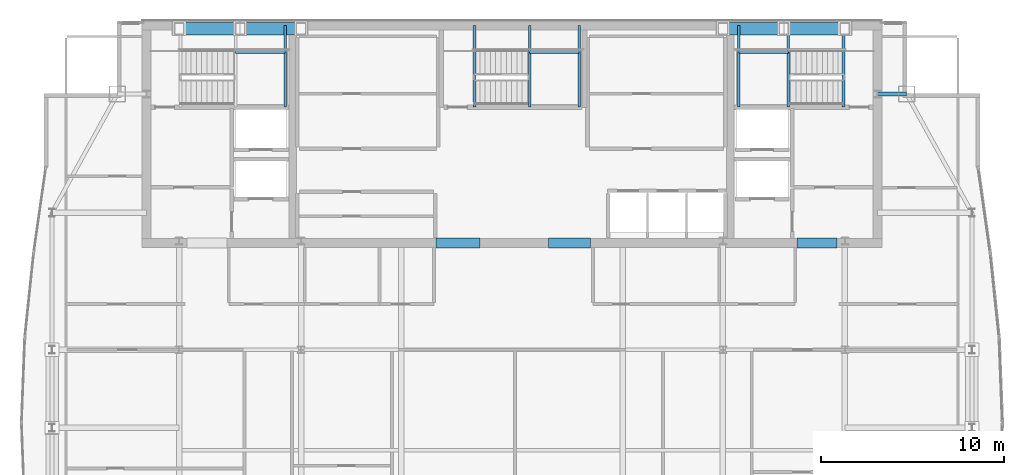
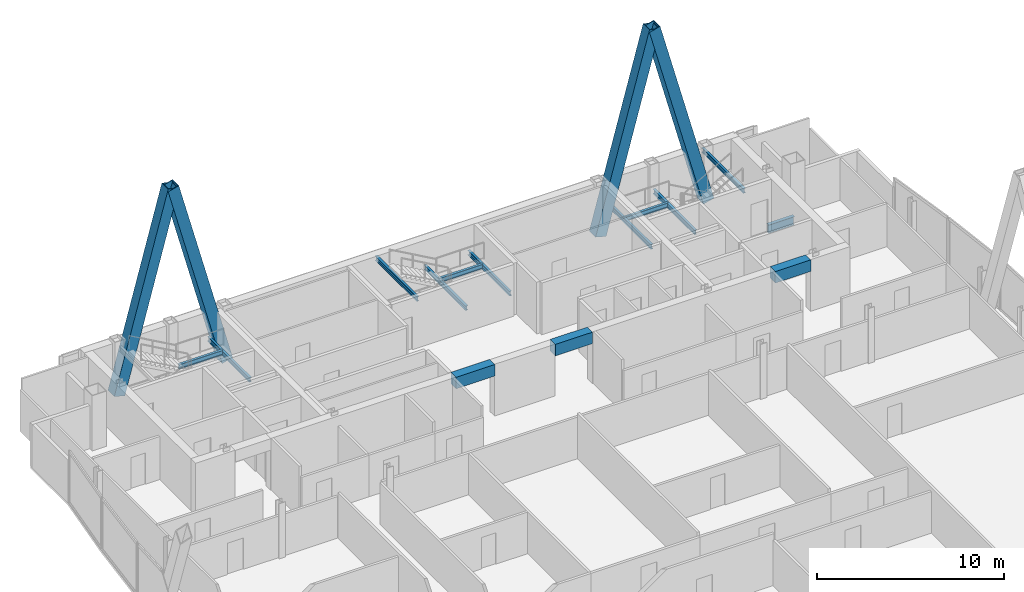
# One storey, part 21 of 29: 14 beams, 4 members.
"""IFC4 building model written with IfcOpenShell, lengths in metres."""

import ifcopenshell
import ifcopenshell.guid

model = None  # the IFC model being written
_history = None  # IfcOwnerHistory: only IFC2X3 demands one
_inside = {}  # id of a spatial element -> (the spatial element, [elements in it])
_under = {}  # id of a project, library or spatial element -> (it, [spatial elements below it])
_declared = {}  # id of a project -> (the project, [libraries it declares])
_typed = {}  # id of a type object -> (the type object, [elements of that type])
_made_of = {}  # id of a material, layer set ... -> (it, [elements and type objects made of it])


def new_model(schema):
    """Start an empty IFC model of exactly this schema.

    Asked for "IFC4X3", IfcOpenShell would pick the latest addendum, in which some entities
    have other attributes; the version numbers below select the first issue.
    IFC2X3 requires an IfcOwnerHistory on every rooted entity: one is made here for all.
    """
    global model, _history
    if schema == "IFC4X3":
        model = ifcopenshell.file(schema_version=(4, 3, 0, 0))
    else:
        model = ifcopenshell.file(schema=schema)
    _inside.clear()
    _under.clear()
    _declared.clear()
    _typed.clear()
    _made_of.clear()
    _history = None
    if model.schema == "IFC2X3":
        org = make("IfcOrganization", Name="unknown")
        user = make(
            "IfcPersonAndOrganization",
            ThePerson=make("IfcPerson", FamilyName="unknown"),
            TheOrganization=org,
        )
        app = make(
            "IfcApplication",
            ApplicationDeveloper=org,
            Version="unknown",
            ApplicationFullName="unknown",
            ApplicationIdentifier="unknown",
        )
        _history = make(
            "IfcOwnerHistory",
            OwningUser=user,
            OwningApplication=app,
            ChangeAction="ADDED",
            CreationDate=0,
        )
    return model


def make(cls, **values):
    """One entity of the class cls with the attributes given. An attribute that is None is left unset."""
    return model.create_entity(
        cls, **{name: value for name, value in values.items() if value is not None}
    )


def rooted(cls, **values):
    """An entity with a GlobalId (a new one), such as an element, a storey or a relation."""
    return make(cls, GlobalId=ifcopenshell.guid.new(), OwnerHistory=_history, **values)


def si_unit(unit_type, name, prefix=None):
    """IfcSIUnit, for example si_unit("LENGTHUNIT", "METRE", prefix="MILLI")."""
    return make("IfcSIUnit", UnitType=unit_type, Prefix=prefix, Name=name)


def assignment(units):
    """IfcUnitAssignment: the units of a project."""
    return None if units is None else make("IfcUnitAssignment", Units=units)


def point(xyz):
    """IfcCartesianPoint."""
    return None if xyz is None else make("IfcCartesianPoint", Coordinates=xyz)


def direction(xyz):
    """IfcDirection."""
    return None if xyz is None else make("IfcDirection", DirectionRatios=xyz)


def frame(location, z_axis=None, x_axis=None):
    """IfcAxis2Placement3D, a coordinate frame: its origin and axes. An axis left out is left unset."""
    return make(
        "IfcAxis2Placement3D",
        Location=point(location),
        Axis=direction(z_axis),
        RefDirection=direction(x_axis),
    )


def frame_2d(location, x_axis=None):
    """IfcAxis2Placement2D, a coordinate frame in the plane: its origin and x axis."""
    return make(
        "IfcAxis2Placement2D", Location=point(location), RefDirection=direction(x_axis)
    )


def origin():
    """The frame at (0, 0, 0) with its axes left unset."""
    return frame((0.0, 0.0, 0.0))


def origin_2d():
    """The frame at (0, 0) in the plane with its x axis left unset."""
    return frame_2d((0.0, 0.0))


def place(relative_to, where):
    """IfcLocalPlacement: puts the frame where relative to a parent placement (None: the world)."""
    return make(
        "IfcLocalPlacement", PlacementRelTo=relative_to, RelativePlacement=where
    )


def context(
    kind, dimensions, precision=None, world=None, true_north=None, identifier=None
):
    """IfcGeometricRepresentationContext, for example the 3D "Model" context."""
    return make(
        "IfcGeometricRepresentationContext",
        ContextIdentifier=identifier,
        ContextType=kind,
        CoordinateSpaceDimension=dimensions,
        Precision=precision,
        WorldCoordinateSystem=world,
        TrueNorth=true_north,
    )


def subcontext(parent, identifier, kind, view, scale=None):
    """IfcGeometricRepresentationSubContext, for example "Body" below "Model"."""
    return make(
        "IfcGeometricRepresentationSubContext",
        ContextIdentifier=identifier,
        ContextType=kind,
        ParentContext=parent,
        TargetScale=scale,
        TargetView=view,
    )


def project(units=None, contexts=None):
    """IfcProject with its units and contexts."""
    return rooted(
        "IfcProject",
        Name="project",
        RepresentationContexts=contexts,
        UnitsInContext=assignment(units),
    )


def spatial(cls, under=None, at=None, **own):
    """A site, building, storey or space (cls), placed at a placement, below another one or the project."""
    s = rooted(cls, ObjectPlacement=at, **own)
    if under is not None:
        _under.setdefault(under.id(), (under, []))[1].append(s)
    return s


def profile(cls, at=None, kind="AREA", **sizes):
    """A parametric profile (cls). Its sizes go by their IFC names, for example OverallWidth=200.0."""
    return make(cls, ProfileType=kind, Position=at, **sizes)


def rectangle(**sizes):
    """IfcRectangleProfileDef."""
    return profile("IfcRectangleProfileDef", **sizes)


def hollow_rectangle(**sizes):
    """IfcRectangleHollowProfileDef."""
    return profile("IfcRectangleHollowProfileDef", **sizes)


def i_section(**sizes):
    """IfcIShapeProfileDef."""
    return profile("IfcIShapeProfileDef", **sizes)


def extrude(swept, where, along, depth):
    """IfcExtrudedAreaSolid: the profile swept, set in the frame where, extruded along a direction by depth."""
    return make(
        "IfcExtrudedAreaSolid",
        SweptArea=swept,
        Position=where,
        ExtrudedDirection=direction(along),
        Depth=depth,
    )


def shape(context_of_items, identifier, shape_type, items):
    """IfcShapeRepresentation: the items that make up one representation, for example the "Body"."""
    return make(
        "IfcShapeRepresentation",
        ContextOfItems=context_of_items,
        RepresentationIdentifier=identifier,
        RepresentationType=shape_type,
        Items=items,
    )


def material(Name=None, Category=None):
    """IfcMaterial."""
    return make("IfcMaterial", Name=Name, Category=Category)


def material_profile(
    of_material, cross_section, Name=None, Category=None, Priority=None
):
    """IfcMaterialProfile: a cross section and its material."""
    return make(
        "IfcMaterialProfile",
        Name=Name,
        Material=of_material,
        Profile=cross_section,
        Priority=Priority,
        Category=Category,
    )


def profile_set(profiles, Name=None, composite=None):
    """IfcMaterialProfileSet."""
    return make(
        "IfcMaterialProfileSet",
        Name=Name,
        MaterialProfiles=profiles,
        CompositeProfile=composite,
    )


def made_of(thing, what):
    """Note that an element or type object is made of a material, layer set ...; save() writes the relation."""
    if what is not None:
        _made_of.setdefault(what.id(), (what, []))[1].append(thing)
    return thing


def type_object(cls, material=None, **own):
    """A type object (cls), such as IfcWallType, which elements share."""
    return made_of(rooted(cls, **own), material)


def element(
    cls,
    number,
    at=None,
    inside=None,
    cuts=None,
    type_object=None,
    material=None,
    context=None,
    identifier="Body",
    shape_type=None,
    held_by="IfcProductDefinitionShape",
    body=None,
    shapes=None,
    **own,
):
    """One element of the class cls, such as IfcWall. Its Tag is "e" and its number.

    at: its placement. inside: the storey or other place that contains it. cuts: it is an
    opening in that element (IfcRelVoidsElement). A single representation is given by context,
    identifier, shape_type and body (its items); several are given by shapes. held_by: the class
    of the entity that holds the representations. save() writes the other relations.
    """
    e = rooted(cls, Tag="e%d" % number, ObjectPlacement=at, **own)
    if body is not None:
        shapes = [shape(context, identifier, shape_type, body)]
    if shapes is not None:
        e.Representation = make(held_by, Representations=shapes)
    if inside is not None:
        _inside.setdefault(inside.id(), (inside, []))[1].append(e)
    if cuts is not None:
        rooted(
            "IfcRelVoidsElement", RelatingBuildingElement=cuts, RelatedOpeningElement=e
        )
    if type_object is not None:
        _typed.setdefault(type_object.id(), (type_object, []))[1].append(e)
    return made_of(e, material)


def aggregate(whole, parts):
    """IfcRelAggregates: a whole, such as a stair, and the parts it consists of."""
    return rooted("IfcRelAggregates", RelatingObject=whole, RelatedObjects=parts)


def save(model, path):
    """Write the relations noted so far, then the file.

    IfcRelAggregates (storeys below a building ...), IfcRelContainedInSpatialStructure (elements
    in a storey), IfcRelDefinesByType, IfcRelAssociatesMaterial and IfcRelDeclares: one each for
    every whole, place, type object, material and project.
    """
    for whole, parts in _under.values():
        aggregate(whole, parts)
    for where, things in _inside.values():
        rooted(
            "IfcRelContainedInSpatialStructure",
            RelatedElements=things,
            RelatingStructure=where,
        )
    for kind, things in _typed.values():
        rooted("IfcRelDefinesByType", RelatedObjects=things, RelatingType=kind)
    for what, things in _made_of.values():
        rooted("IfcRelAssociatesMaterial", RelatedObjects=things, RelatingMaterial=what)
    for by, libraries in _declared.values():
        rooted("IfcRelDeclares", RelatingContext=by, RelatedDefinitions=libraries)
    model.write(path)


model = new_model("IFC4")

# Units and contexts
model_context = context("Model", 3, precision=1e-05, world=origin(), true_north=direction((0.0, 1.0)))
body_context = subcontext(model_context, "Body", "Model", "MODEL_VIEW")
ifc_project = project(units=[si_unit("LENGTHUNIT", "METRE"), si_unit("AREAUNIT", "SQUARE_METRE"), si_unit("VOLUMEUNIT", "CUBIC_METRE"), si_unit("PLANEANGLEUNIT", "RADIAN"), si_unit("MASSUNIT", "GRAM", prefix="KILO")], contexts=[model_context])

# Site, building, storey
site_placement = place(None, origin())
site = spatial("IfcSite", under=ifc_project, at=site_placement, CompositionType="ELEMENT")
building_placement = place(site_placement, origin())
building = spatial("IfcBuilding", under=site, at=building_placement, Name="Khoronbel Lancet Exchange", CompositionType="ELEMENT")
storey_placement = place(building_placement, frame((0.0, 0.0, 302.199951171875)))
storey = spatial("IfcBuildingStorey", under=building, at=storey_placement, Name="L78", CompositionType="ELEMENT", Elevation=302.199951171875)

# Beams
ifc_material_1 = material(Name="Steel S355", Category="steel")
ifc_material_profile_1 = material_profile(ifc_material_1, i_section(OverallWidth=0.14990234375, OverallDepth=0.300048828125, WebThickness=0.007080078125, FlangeThickness=0.0107421875, at=origin_2d()), Name="IPE 300")
ifc_profile_set_1 = profile_set([ifc_material_profile_1], Name="Steel S355")
beam_type_1 = type_object("IfcBeamType", Name="BM-BJ8", PredefinedType="JOIST", material=ifc_profile_set_1)
beam_1_placement = place(storey_placement, frame((24.030029296875, 48.97998046875, 1.449951171875), z_axis=(0.0, 1.0, 0.0), x_axis=(-1.0, 0.0, 0.0)))
element("IfcBeam", 1, at=beam_1_placement, inside=storey, type_object=beam_type_1, Name="Level L78 stair ST1 rear landing bearer beam 1", PredefinedType="JOIST", context=body_context, shape_type="SweptSolid", body=[
    extrude(i_section(OverallWidth=0.14990234375, OverallDepth=0.300048828125, WebThickness=0.007080078125, FlangeThickness=0.0107421875, at=origin_2d()), origin(), (0.0, 0.0, 1.0), 4.469970703125),
])
beam_2_placement = place(storey_placement, frame((21.320068359375, 51.97998046875, 1.449951171875), z_axis=(1.0, 0.0, 0.0), x_axis=(0.0, 1.0, 0.0)))
element("IfcBeam", 2, at=beam_2_placement, inside=storey, type_object=beam_type_1, Name="Level L78 stair ST1 landing cross trimmer beam 1", PredefinedType="JOIST", context=body_context, shape_type="SweptSolid", body=[
    extrude(i_section(OverallWidth=0.14990234375, OverallDepth=0.300048828125, WebThickness=0.007080078125, FlangeThickness=0.0107421875, at=origin_2d()), origin(), (0.0, 0.0, 1.0), 2.7099609375),
])
for number, where, z_axis, x_axis, name in (
    (3, (51.580078125, 48.97998046875, 1.449951171875), (0.0, 1.0, 0.0), (-1.0, 0.0, 0.0), "Level L78 stair ST2 landing bearer beam 1"),
    (4, (48.8701171875, 48.97998046875, 1.449951171875), (0.0, 1.0, 0.0), (-1.0, 0.0, 0.0), "Level L78 stair ST2 rear landing bearer beam 1"),
):
    element("IfcBeam", number, at=place(storey_placement, frame(where, z_axis=z_axis, x_axis=x_axis)), inside=storey, type_object=beam_type_1, Name=name, PredefinedType="JOIST", context=body_context, shape_type="SweptSolid", body=[
        extrude(i_section(OverallWidth=0.14990234375, OverallDepth=0.300048828125, WebThickness=0.007080078125, FlangeThickness=0.0107421875, at=origin_2d()), origin(), (0.0, 0.0, 1.0), 4.469970703125),
    ])
beam_3_placement = place(storey_placement, frame((48.8701171875, 51.97998046875, 1.449951171875), z_axis=(1.0, 0.0, 0.0), x_axis=(0.0, 1.0, 0.0)))
element("IfcBeam", 5, at=beam_3_placement, inside=storey, type_object=beam_type_1, Name="Level L78 stair ST2 landing cross trimmer beam 1", PredefinedType="JOIST", context=body_context, shape_type="SweptSolid", body=[
    extrude(i_section(OverallWidth=0.14990234375, OverallDepth=0.300048828125, WebThickness=0.007080078125, FlangeThickness=0.0107421875, at=origin_2d()), origin(), (0.0, 0.0, 1.0), 2.7099609375),
])
for number, where, z_axis, x_axis, name in (
    (6, (54.60009765625, 48.97998046875, 3.10009765625), (0.0, 1.0, 0.0), (-1.0, 0.0, 0.0), "Level L78 stair ST2 upper-flight arrival trimmer beam"),
    (7, (37.419921875, 48.97998046875, 1.449951171875), (0.0, 1.0, 0.0), (-1.0, 0.0, 0.0), "Level L78 stair ST3 landing bearer beam 1"),
    (8, (40.1298828125, 48.97998046875, 1.449951171875), (0.0, 1.0, 0.0), (-1.0, 0.0, 0.0), "Level L78 stair ST3 rear landing bearer beam 1"),
):
    element("IfcBeam", number, at=place(storey_placement, frame(where, z_axis=z_axis, x_axis=x_axis)), inside=storey, type_object=beam_type_1, Name=name, PredefinedType="JOIST", context=body_context, shape_type="SweptSolid", body=[
        extrude(i_section(OverallWidth=0.14990234375, OverallDepth=0.300048828125, WebThickness=0.007080078125, FlangeThickness=0.0107421875, at=origin_2d()), origin(), (0.0, 0.0, 1.0), 4.469970703125),
    ])
beam_4_placement = place(storey_placement, frame((37.419921875, 51.97998046875, 1.449951171875), z_axis=(1.0, 0.0, 0.0), x_axis=(0.0, 1.0, 0.0)))
element("IfcBeam", 9, at=beam_4_placement, inside=storey, type_object=beam_type_1, Name="Level L78 stair ST3 landing cross trimmer beam 1", PredefinedType="JOIST", context=body_context, shape_type="SweptSolid", body=[
    extrude(i_section(OverallWidth=0.14990234375, OverallDepth=0.300048828125, WebThickness=0.007080078125, FlangeThickness=0.0107421875, at=origin_2d()), origin(), (0.0, 0.0, 1.0), 2.7099609375),
])
beam_5_placement = place(storey_placement, frame((34.39990234375, 48.97998046875, 3.10009765625), z_axis=(0.0, 1.0, 0.0), x_axis=(-1.0, 0.0, 0.0)))
element("IfcBeam", 10, at=beam_5_placement, inside=storey, type_object=beam_type_1, Name="Level L78 stair ST3 upper-flight arrival trimmer beam", PredefinedType="JOIST", context=body_context, shape_type="SweptSolid", body=[
    extrude(i_section(OverallWidth=0.14990234375, OverallDepth=0.300048828125, WebThickness=0.007080078125, FlangeThickness=0.0107421875, at=origin_2d()), origin(), (0.0, 0.0, 1.0), 4.469970703125),
])
ifc_material_2 = material(Name="Concrete C60/75", Category="concrete")
ifc_material_profile_2 = material_profile(ifc_material_2, rectangle(XDim=0.550048828125, YDim=0.75, at=origin_2d()), Name="RC 550x750")
ifc_profile_set_2 = profile_set([ifc_material_profile_2], Name="Concrete C60/75")
beam_type_2 = type_object("IfcBeamType", Name="BM-BL2", PredefinedType="LINTEL", material=ifc_profile_set_2)
beam_6_placement = place(storey_placement, frame((32.300048828125, 41.550048828125, 3.005126953125), z_axis=(1.0, 0.0, 0.0), x_axis=(0.0, 1.0, 0.0)))
element("IfcBeam", 11, at=beam_6_placement, inside=storey, type_object=beam_type_2, Name="Level L78 rear core coupling lintel L2", PredefinedType="LINTEL", context=body_context, shape_type="SweptSolid", body=[
    extrude(rectangle(XDim=0.550048828125, YDim=0.75, at=origin_2d()), origin(), (0.0, 0.0, 1.0), 2.39990234375),
])
beam_7_placement = place(storey_placement, frame((38.449951171875, 41.550048828125, 3.005126953125), z_axis=(1.0, 0.0, 0.0), x_axis=(0.0, 1.0, 0.0)))
element("IfcBeam", 12, at=beam_7_placement, inside=storey, type_object=beam_type_2, Name="Level L78 rear core coupling lintel L3", PredefinedType="LINTEL", context=body_context, shape_type="SweptSolid", body=[
    extrude(rectangle(XDim=0.550048828125, YDim=0.75, at=origin_2d()), origin(), (0.0, 0.0, 1.0), 2.300048828125),
])
beam_8_placement = place(storey_placement, frame((52.050048828125, 41.550048828125, 3.005126953125), z_axis=(1.0, 0.0, 0.0), x_axis=(0.0, 1.0, 0.0)))
element("IfcBeam", 13, at=beam_8_placement, inside=storey, type_object=beam_type_2, Name="Level L78 rear core coupling lintel L4", PredefinedType="LINTEL", context=body_context, shape_type="SweptSolid", body=[
    extrude(rectangle(XDim=0.550048828125, YDim=0.75, at=origin_2d()), origin(), (0.0, 0.0, 1.0), 2.199951171875),
])
ifc_material_profile_3 = material_profile(ifc_material_1, i_section(OverallWidth=0.2099609375, OverallDepth=0.550048828125, WebThickness=0.010986328125, FlangeThickness=0.01708984375, at=origin_2d()), Name="IPE 550")
ifc_profile_set_3 = profile_set([ifc_material_profile_3], Name="Steel S355")
beam_type_3 = type_object("IfcBeamType", Name="BM-BSP3", PredefinedType="SPANDREL", material=ifc_profile_set_3)
beam_9_placement = place(storey_placement, frame((58.050048828125, 49.699951171875, -0.43505859375), z_axis=(-1.0, 0.0, 0.0), x_axis=(0.0, -1.0, 0.0)))
element("IfcBeam", 14, at=beam_9_placement, inside=storey, type_object=beam_type_3, Name="Level L78 north flank tie spandrel SP23", PredefinedType="SPANDREL", context=body_context, shape_type="SweptSolid", body=[
    extrude(i_section(OverallWidth=0.2099609375, OverallDepth=0.550048828125, WebThickness=0.010986328125, FlangeThickness=0.01708984375, at=origin_2d()), origin(), (0.0, 0.0, 1.0), 1.60009765625),
])

# Members
ifc_material_3 = material(Name="Steel S460", Category="steel")
ifc_material_profile_4 = material_profile(ifc_material_3, hollow_rectangle(XDim=0.679931640625, YDim=0.679931640625, WallThickness=0.044921875, at=origin_2d()), Name="BOX 680x680x45")
ifc_profile_set_4 = profile_set([ifc_material_profile_4], Name="Steel S460")
member_type = type_object("IfcMemberType", Name="MEM-MB3", PredefinedType="BRACE", material=ifc_profile_set_4)
for number, where, z_axis, x_axis, name in (
    (15, (18.22509765625, 53.280029296875, 0.0), (0.259893700935, 0.0, 0.965637232202), (0.0, 1.0, 0.0), "Perimeter lancet brace tier 27 N-W-L"),
    (16, (24.89990234375, 53.280029296875, 0.0), (-0.259893700935, 0.0, 0.965637232202), (0.0, -1.0, 0.0), "Perimeter lancet brace tier 27 N-W-R"),
    (17, (48.0, 53.280029296875, 0.0), (0.259893700935, 0.0, 0.965637232202), (0.0, 1.0, 0.0), "Perimeter lancet brace tier 27 N-E-L"),
):
    element("IfcMember", number, at=place(storey_placement, frame(where, z_axis=z_axis, x_axis=x_axis)), inside=storey, type_object=member_type, Name=name, PredefinedType="BRACE", context=body_context, shape_type="SweptSolid", body=[
        extrude(hollow_rectangle(XDim=0.679931640625, YDim=0.679931640625, WallThickness=0.044921875, at=origin_2d()), origin(), (0.0, 0.0, 1.0), 12.84130859375),
    ])
member_placement = place(storey_placement, frame((54.675048828125, 53.280029296875, 0.0), z_axis=(-0.25991142862, 0.0, 0.96563246076), x_axis=(0.0, -1.0, 0.0)))
element("IfcMember", 18, at=member_placement, inside=storey, type_object=member_type, Name="Perimeter lancet brace tier 27 N-E-R", PredefinedType="BRACE", context=body_context, shape_type="SweptSolid", body=[
    extrude(hollow_rectangle(XDim=0.679931640625, YDim=0.679931640625, WallThickness=0.044921875, at=origin_2d()), origin(), (0.0, 0.0, 1.0), 12.841552734375),
])

save(model, "model.ifc")
